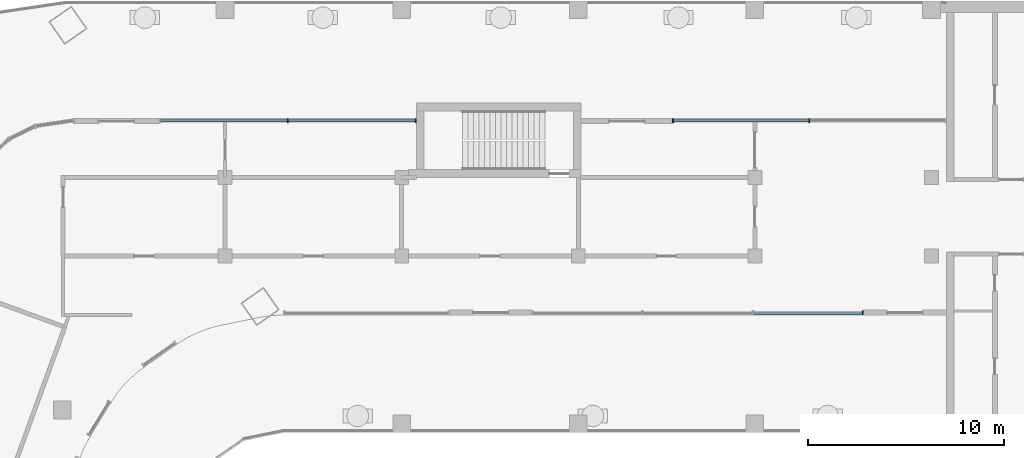
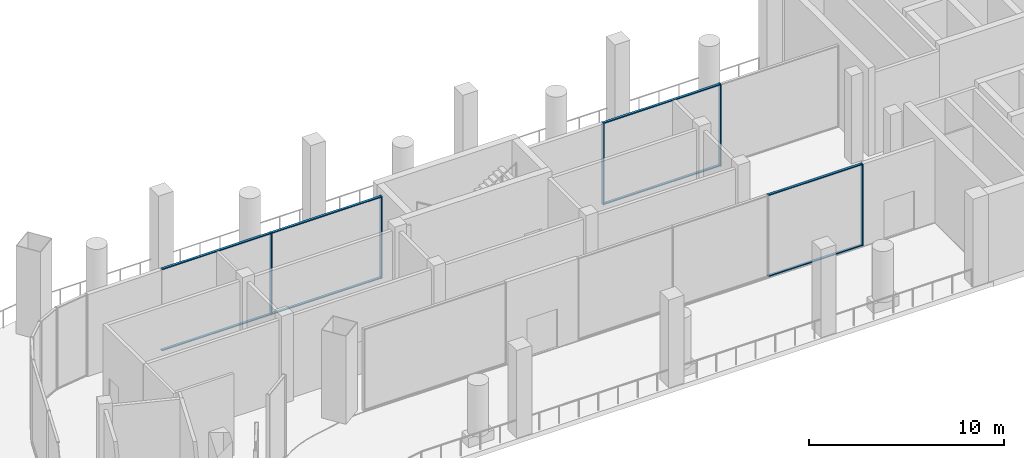
# One storey, part 4 of 19: 13 members, 3 elements without a shape of their own.
"""IFC4 building model written with IfcOpenShell, lengths in metres."""

from ifc_helpers import new_model, si_unit, direction, frame, origin, origin_2d, place, context, subcontext, project, spatial, rectangle, extrude, material, material_profile, profile_set, type_object, element, aggregate, save


model = new_model("IFC4")

# Units and contexts
model_context = context("Model", 3, precision=1e-05, world=origin(), true_north=direction((0.0, 1.0)))
body_context = subcontext(model_context, "Body", "Model", "MODEL_VIEW")
ifc_project = project(units=[si_unit("LENGTHUNIT", "METRE"), si_unit("AREAUNIT", "SQUARE_METRE"), si_unit("VOLUMEUNIT", "CUBIC_METRE"), si_unit("PLANEANGLEUNIT", "RADIAN"), si_unit("MASSUNIT", "GRAM", prefix="KILO")], contexts=[model_context])

# Site, building, storey
site_placement = place(None, origin())
site = spatial("IfcSite", under=ifc_project, at=site_placement, CompositionType="ELEMENT")
building_placement = place(site_placement, origin())
building = spatial("IfcBuilding", under=site, at=building_placement, Name="Skarvind Civic Tower", CompositionType="ELEMENT")
storey_placement = place(building_placement, frame((0.0, 0.0, 75.5)))
storey = spatial("IfcBuildingStorey", under=building, at=storey_placement, Name="L17", CompositionType="ELEMENT", Elevation=75.5)

# Curtain wall, member
ifc_material_1 = material(Name="Aluminium alloy 6063 and laminated glass", Category="aluminium")
curtain_wall_type = type_object("IfcCurtainWallType", Name="CW3 SEPARATOR INNER GLAZING", PredefinedType="NOTDEFINED", material=ifc_material_1)
curtain_wall_1_placement = place(storey_placement, origin())
curtain_wall_1 = element("IfcCurtainWall", 1, at=curtain_wall_1_placement, inside=storey, type_object=curtain_wall_type, Name="SEPARATOR INNER GLAZING", PredefinedType="NOTDEFINED")
ifc_material_2 = material(Name="Aluminium alloy 6063", Category="aluminium")
ifc_material_profile_1 = material_profile(ifc_material_2, rectangle(XDim=0.199951171875, YDim=0.06005859375, at=origin_2d()), Name="AL 60x200")
ifc_profile_set_1 = profile_set([ifc_material_profile_1], Name="Aluminium alloy 6063")
member_type_1 = type_object("IfcMemberType", Name="CW3 MULLION 60x200", PredefinedType="MULLION", material=ifc_profile_set_1)
member_1_placement = place(storey_placement, frame((86.74951171875, 123.10009765625, 0.0), z_axis=(0.0, 0.0, 1.0), x_axis=(0.0, -1.0, 0.0)))
member_1 = element("IfcMember", 2, at=member_1_placement, type_object=member_type_1, Name="CW3 mullion 1", PredefinedType="MULLION", context=body_context, shape_type="SweptSolid", body=[
    extrude(rectangle(XDim=0.199951171875, YDim=0.06005859375, at=origin_2d()), origin(), (0.0, 0.0, 1.0), 5.125),
])

# Curtain wall, members
curtain_wall_2_placement = place(storey_placement, origin())
curtain_wall_2 = element("IfcCurtainWall", 3, at=curtain_wall_2_placement, inside=storey, type_object=curtain_wall_type, Name="SEPARATOR INNER GLAZING", PredefinedType="NOTDEFINED")
member_2_placement = place(storey_placement, frame((77.080078125, 132.89990234375, 0.0), z_axis=(0.0, 0.0, 1.0), x_axis=(0.0, 1.0, 0.0)))
member_2 = element("IfcMember", 4, at=member_2_placement, type_object=member_type_1, Name="CW3 mullion 1", PredefinedType="MULLION", context=body_context, shape_type="SweptSolid", body=[
    extrude(rectangle(XDim=0.199951171875, YDim=0.06005859375, at=origin_2d()), origin(), (0.0, 0.0, 1.0), 5.125),
])
member_3_placement = place(storey_placement, frame((84.02490234375, 132.89990234375, 0.0), z_axis=(0.0, 0.0, 1.0), x_axis=(0.0, 1.0, 0.0)))
member_3 = element("IfcMember", 5, at=member_3_placement, type_object=member_type_1, Name="CW3 mullion 2", PredefinedType="MULLION", context=body_context, shape_type="SweptSolid", body=[
    extrude(rectangle(XDim=0.199951171875, YDim=0.06005859375, at=origin_2d()), origin(), (0.0, 0.0, 1.0), 5.125),
])

curtain_wall_3_placement = place(storey_placement, origin())
curtain_wall_3 = element("IfcCurtainWall", 6, at=curtain_wall_3_placement, inside=storey, type_object=curtain_wall_type, Name="SEPARATOR INNER GLAZING", PredefinedType="NOTDEFINED")
member_4_placement = place(storey_placement, frame((57.4521484375, 132.89990234375, 0.0), z_axis=(0.0, 0.0, 1.0), x_axis=(0.0, 1.0, 0.0)))
member_4 = element("IfcMember", 7, at=member_4_placement, type_object=member_type_1, Name="CW3 mullion 2", PredefinedType="MULLION", context=body_context, shape_type="SweptSolid", body=[
    extrude(rectangle(XDim=0.199951171875, YDim=0.06005859375, at=origin_2d()), origin(), (0.0, 0.0, 1.0), 5.125),
])
member_5_placement = place(storey_placement, frame((63.969970703125, 132.89990234375, 0.0), z_axis=(0.0, 0.0, 1.0), x_axis=(0.0, 1.0, 0.0)))
member_5 = element("IfcMember", 8, at=member_5_placement, type_object=member_type_1, Name="CW3 mullion 3", PredefinedType="MULLION", context=body_context, shape_type="SweptSolid", body=[
    extrude(rectangle(XDim=0.199951171875, YDim=0.06005859375, at=origin_2d()), origin(), (0.0, 0.0, 1.0), 5.125),
])

# Member
ifc_material_profile_2 = material_profile(ifc_material_2, rectangle(XDim=0.139892578125, YDim=0.06005859375, at=origin_2d()), Name="AL 60x140")
ifc_profile_set_2 = profile_set([ifc_material_profile_2], Name="Aluminium alloy 6063")
member_type_2 = type_object("IfcMemberType", Name="CW3 TRANSOM 60x140", PredefinedType="USERDEFINED", material=ifc_profile_set_2)
member_6_placement = place(storey_placement, frame((86.719482421875, 123.10009765625, 0.030029296875), z_axis=(-1.0, 0.0, 0.0), x_axis=(0.0, -1.0, 0.0)))
member_6 = element("IfcMember", 9, at=member_6_placement, type_object=member_type_2, Name="CW3 transom 1.1", ObjectType="TRANSOM", PredefinedType="USERDEFINED", context=body_context, shape_type="SweptSolid", body=[
    extrude(rectangle(XDim=0.139892578125, YDim=0.06005859375, at=origin_2d()), origin(), (0.0, 0.0, 1.0), 5.53759765625),
])

member_7_placement = place(storey_placement, frame((86.719482421875, 123.10009765625, 5.094970703125), z_axis=(-1.0, 0.0, 0.0), x_axis=(0.0, -1.0, 0.0)))
member_7 = element("IfcMember", 10, at=member_7_placement, type_object=member_type_2, Name="CW3 transom 1.2", ObjectType="TRANSOM", PredefinedType="USERDEFINED", context=body_context, shape_type="SweptSolid", body=[
    extrude(rectangle(XDim=0.139892578125, YDim=0.06005859375, at=origin_2d()), origin(), (0.0, 0.0, 1.0), 5.53759765625),
])

aggregate(curtain_wall_1, [member_1, member_6, member_7])

member_8_placement = place(storey_placement, frame((77.110107421875, 132.89990234375, 0.030029296875), z_axis=(1.0, 0.0, 0.0), x_axis=(0.0, 1.0, 0.0)))
member_8 = element("IfcMember", 11, at=member_8_placement, type_object=member_type_2, Name="CW3 transom 1.1", ObjectType="TRANSOM", PredefinedType="USERDEFINED", context=body_context, shape_type="SweptSolid", body=[
    extrude(rectangle(XDim=0.139892578125, YDim=0.06005859375, at=origin_2d()), origin(), (0.0, 0.0, 1.0), 6.885009765625),
])

member_9_placement = place(storey_placement, frame((77.110107421875, 132.89990234375, 5.094970703125), z_axis=(1.0, 0.0, 0.0), x_axis=(0.0, 1.0, 0.0)))
member_9 = element("IfcMember", 12, at=member_9_placement, type_object=member_type_2, Name="CW3 transom 1.2", ObjectType="TRANSOM", PredefinedType="USERDEFINED", context=body_context, shape_type="SweptSolid", body=[
    extrude(rectangle(XDim=0.139892578125, YDim=0.06005859375, at=origin_2d()), origin(), (0.0, 0.0, 1.0), 6.885009765625),
])

aggregate(curtain_wall_2, [member_2, member_3, member_8, member_9])

member_10_placement = place(storey_placement, frame((50.96435546875, 132.89990234375, 0.030029296875), z_axis=(1.0, 0.0, 0.0), x_axis=(0.0, 1.0, 0.0)))
member_10 = element("IfcMember", 13, at=member_10_placement, type_object=member_type_2, Name="CW3 transom 1.1", ObjectType="TRANSOM", PredefinedType="USERDEFINED", context=body_context, shape_type="SweptSolid", body=[
    extrude(rectangle(XDim=0.139892578125, YDim=0.06005859375, at=origin_2d()), origin(), (0.0, 0.0, 1.0), 6.457763671875),
])

member_11_placement = place(storey_placement, frame((50.96435546875, 132.89990234375, 5.094970703125), z_axis=(1.0, 0.0, 0.0), x_axis=(0.0, 1.0, 0.0)))
member_11 = element("IfcMember", 14, at=member_11_placement, type_object=member_type_2, Name="CW3 transom 1.2", ObjectType="TRANSOM", PredefinedType="USERDEFINED", context=body_context, shape_type="SweptSolid", body=[
    extrude(rectangle(XDim=0.139892578125, YDim=0.06005859375, at=origin_2d()), origin(), (0.0, 0.0, 1.0), 6.457763671875),
])

member_12_placement = place(storey_placement, frame((57.482177734375, 132.89990234375, 0.030029296875), z_axis=(1.0, 0.0, 0.0), x_axis=(0.0, 1.0, 0.0)))
member_12 = element("IfcMember", 15, at=member_12_placement, type_object=member_type_2, Name="CW3 transom 2.1", ObjectType="TRANSOM", PredefinedType="USERDEFINED", context=body_context, shape_type="SweptSolid", body=[
    extrude(rectangle(XDim=0.139892578125, YDim=0.06005859375, at=origin_2d()), origin(), (0.0, 0.0, 1.0), 6.457763671875),
])

member_13_placement = place(storey_placement, frame((57.482177734375, 132.89990234375, 5.094970703125), z_axis=(1.0, 0.0, 0.0), x_axis=(0.0, 1.0, 0.0)))
member_13 = element("IfcMember", 16, at=member_13_placement, type_object=member_type_2, Name="CW3 transom 2.2", ObjectType="TRANSOM", PredefinedType="USERDEFINED", context=body_context, shape_type="SweptSolid", body=[
    extrude(rectangle(XDim=0.139892578125, YDim=0.06005859375, at=origin_2d()), origin(), (0.0, 0.0, 1.0), 6.457763671875),
])

aggregate(curtain_wall_3, [member_4, member_5, member_10, member_11, member_12, member_13])

save(model, "model.ifc")
